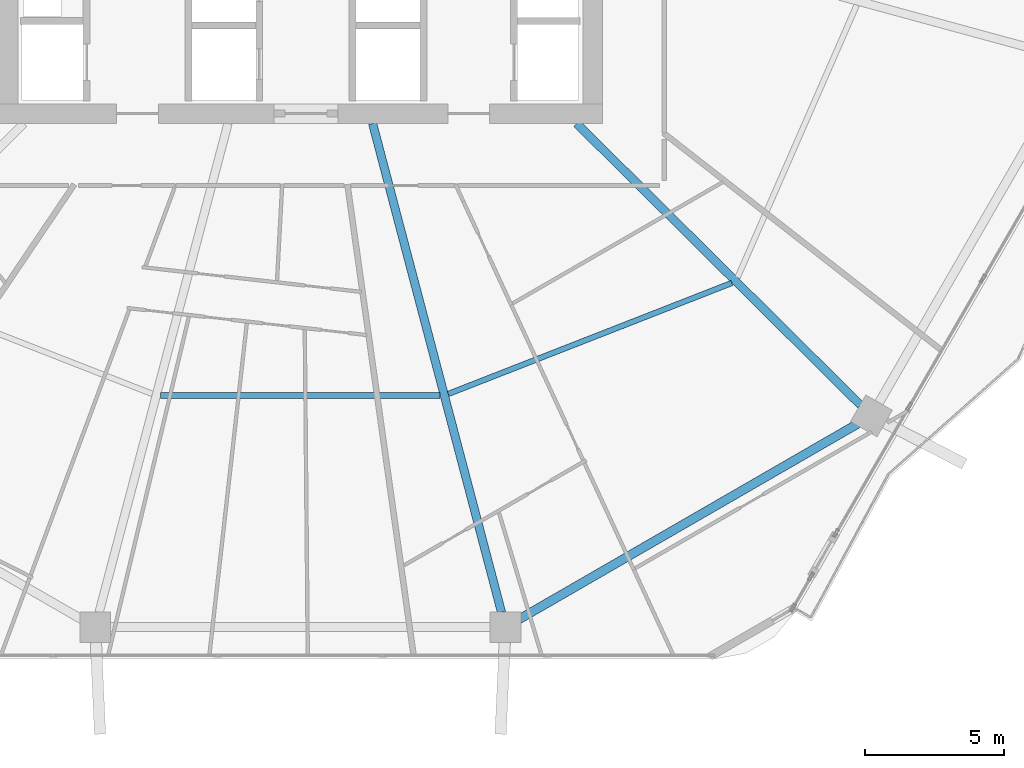
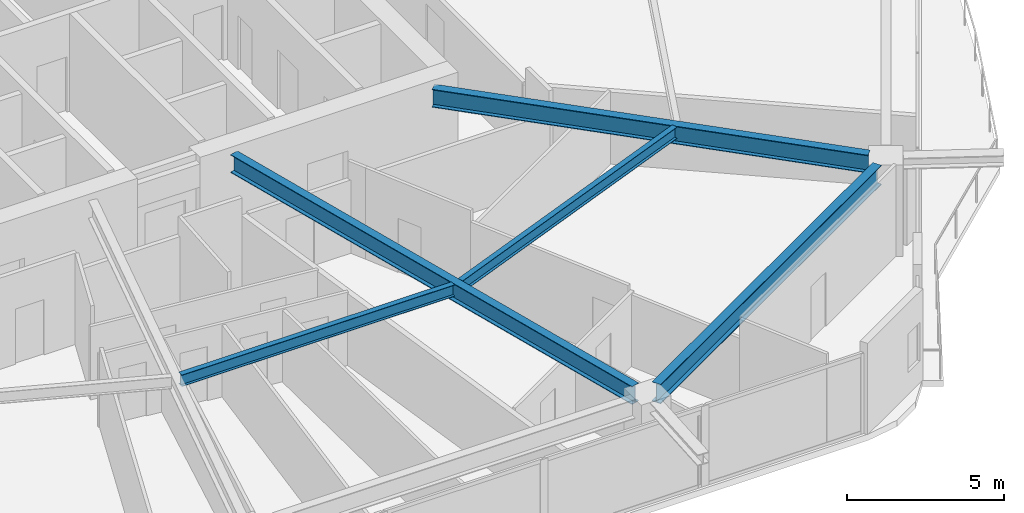
# One storey, part 8 of 33: 5 beams.
"""IFC4 building model written with IfcOpenShell, lengths in metres."""

from ifc_helpers import new_model, si_unit, direction, frame, origin, origin_2d, place, context, subcontext, project, spatial, i_section, extrude, material, material_profile, profile_set, type_object, element, save


model = new_model("IFC4")

# Units and contexts
model_context = context("Model", 3, precision=1e-05, world=origin(), true_north=direction((0.0, 1.0)))
body_context = subcontext(model_context, "Body", "Model", "MODEL_VIEW")
ifc_project = project(units=[si_unit("LENGTHUNIT", "METRE"), si_unit("AREAUNIT", "SQUARE_METRE"), si_unit("VOLUMEUNIT", "CUBIC_METRE"), si_unit("PLANEANGLEUNIT", "RADIAN"), si_unit("MASSUNIT", "GRAM", prefix="KILO")], contexts=[model_context])

# Site, building, storey
site_placement = place(None, origin())
site = spatial("IfcSite", under=ifc_project, at=site_placement, CompositionType="ELEMENT")
building_placement = place(site_placement, origin())
building = spatial("IfcBuilding", under=site, at=building_placement, Name="Zuhravey Tower", CompositionType="ELEMENT")
storey_placement = place(building_placement, frame((0.0, 0.0, 96.199951171875)))
storey = spatial("IfcBuildingStorey", under=building, at=storey_placement, Name="L23", CompositionType="ELEMENT", Elevation=96.199951171875)

# Beams
ifc_material = material(Name="Steel SM355", Category="steel")
ifc_material_profile_1 = material_profile(ifc_material, i_section(OverallWidth=0.320068359375, OverallDepth=0.75, WebThickness=0.013916015625, FlangeThickness=0.02490234375, at=origin_2d()), Name="H-750x320x14x25")
ifc_profile_set_1 = profile_set([ifc_material_profile_1], Name="Steel SM355")
beam_type_1 = type_object("IfcBeamType", Name="Perimeter Ring Beam H750x320", PredefinedType="BEAM", material=ifc_profile_set_1)
beam_1_placement = place(storey_placement, frame((43.848876953125, 4.327880859375, 3.175048828125), z_axis=(0.866017786538, 0.500013193225, 0.0), x_axis=(-0.500013193225, 0.866017786538, 0.0)))
element("IfcBeam", 1, at=beam_1_placement, inside=storey, type_object=beam_type_1, Name="L23 PB1 BM-L23-PB-10", PredefinedType="BEAM", context=body_context, shape_type="SweptSolid", body=[
    extrude(i_section(OverallWidth=0.320068359375, OverallDepth=0.75, WebThickness=0.013916015625, FlangeThickness=0.02490234375, at=origin_2d()), origin(), (0.0, 0.0, 1.0), 14.0771484375),
])
ifc_material_profile_2 = material_profile(ifc_material, i_section(OverallWidth=0.300048828125, OverallDepth=0.699951171875, WebThickness=0.012939453125, FlangeThickness=0.02392578125, at=origin_2d()), Name="H-700x300x13x24")
ifc_profile_set_2 = profile_set([ifc_material_profile_2], Name="Steel SM355")
beam_type_2 = type_object("IfcBeamType", Name="Radial Primary Girder H700x300", PredefinedType="BEAM", material=ifc_profile_set_2)
beam_2_placement = place(storey_placement, frame((38.59814453125, 22.14697265625, 3.199951171875), z_axis=(0.25498755891, -0.966944333869, 0.0), x_axis=(0.966944333869, 0.25498755891, 0.0)))
element("IfcBeam", 2, at=beam_2_placement, inside=storey, type_object=beam_type_2, Name="L23 RG1 BM-L23-RAD-10", PredefinedType="BEAM", context=body_context, shape_type="SweptSolid", body=[
    extrude(i_section(OverallWidth=0.300048828125, OverallDepth=0.699951171875, WebThickness=0.012939453125, FlangeThickness=0.02392578125, at=origin_2d()), origin(), (0.0, 0.0, 1.0), 18.1611328125),
])
beam_3_placement = place(storey_placement, frame((45.931396484375, 22.14697265625, 3.199951171875), z_axis=(0.709906230344, -0.704296204816, 0.0), x_axis=(0.704296204816, 0.709906230344, 0.0)))
element("IfcBeam", 3, at=beam_3_placement, inside=storey, type_object=beam_type_2, Name="L23 RG1 BM-L23-RAD-11", PredefinedType="BEAM", context=body_context, shape_type="SweptSolid", body=[
    extrude(i_section(OverallWidth=0.300048828125, OverallDepth=0.699951171875, WebThickness=0.012939453125, FlangeThickness=0.02392578125, at=origin_2d()), origin(), (0.0, 0.0, 1.0), 14.361083984375),
])
ifc_material_profile_3 = material_profile(ifc_material, i_section(OverallWidth=0.199951171875, OverallDepth=0.449951171875, WebThickness=0.009033203125, FlangeThickness=0.013916015625, at=origin_2d()), Name="H-450x200x9x14")
ifc_profile_set_3 = profile_set([ifc_material_profile_3], Name="Steel SM355")
beam_type_3 = type_object("IfcBeamType", Name="Secondary Floor Joist H450x200", PredefinedType="JOIST", material=ifc_profile_set_3)
beam_4_placement = place(storey_placement, frame((30.97900390625, 12.37548828125, 3.324951171875), z_axis=(1.0, 0.0, 0.0), x_axis=(0.0, 1.0, 0.0)))
element("IfcBeam", 4, at=beam_4_placement, inside=storey, type_object=beam_type_3, Name="L23 SJ1 BM-L23-SJ-09-1", PredefinedType="JOIST", context=body_context, shape_type="SweptSolid", body=[
    extrude(i_section(OverallWidth=0.199951171875, OverallDepth=0.449951171875, WebThickness=0.009033203125, FlangeThickness=0.013916015625, at=origin_2d()), origin(), (0.0, 0.0, 1.0), 10.0419921875),
])
beam_5_placement = place(storey_placement, frame((41.318359375, 12.431640625, 3.324951171875), z_axis=(0.931216764731, 0.364465824302, 0.0), x_axis=(-0.364465824302, 0.931216764731, 0.0)))
element("IfcBeam", 5, at=beam_5_placement, inside=storey, type_object=beam_type_3, Name="L23 SJ1 BM-L23-SJ-10-1", PredefinedType="JOIST", context=body_context, shape_type="SweptSolid", body=[
    extrude(i_section(OverallWidth=0.199951171875, OverallDepth=0.449951171875, WebThickness=0.009033203125, FlangeThickness=0.013916015625, at=origin_2d()), origin(), (0.0, 0.0, 1.0), 10.939453125),
])

save(model, "model.ifc")
